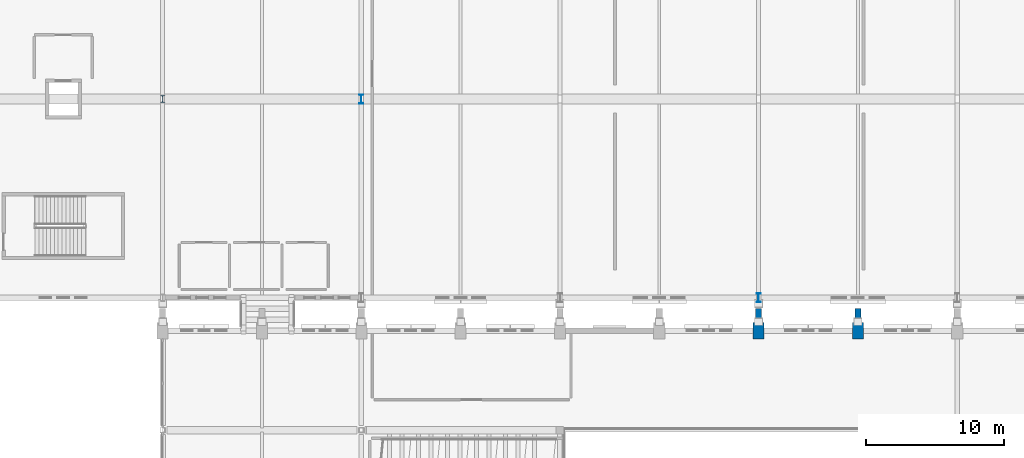
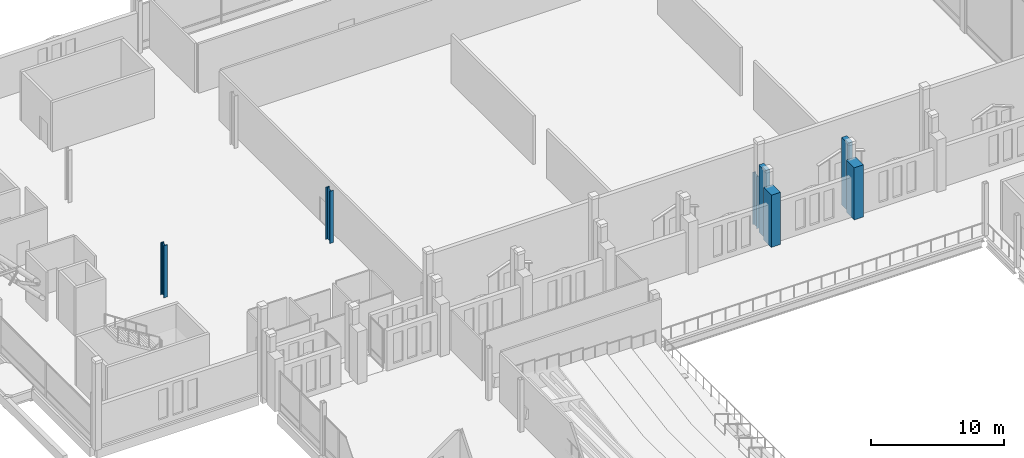
# One storey, part 16 of 193: 7 columns.
"""IFC4 building model written with IfcOpenShell, lengths in metres."""

from ifc_helpers import new_model, si_unit, direction, frame, origin, origin_2d, place, context, subcontext, project, spatial, rectangle, i_section, extrude, material, material_profile, profile_set, type_object, element, save


model = new_model("IFC4")

# Units and contexts
model_context = context("Model", 3, precision=1e-05, world=origin(), true_north=direction((0.0, 1.0)))
body_context = subcontext(model_context, "Body", "Model", "MODEL_VIEW")
ifc_project = project(units=[si_unit("LENGTHUNIT", "METRE"), si_unit("AREAUNIT", "SQUARE_METRE"), si_unit("VOLUMEUNIT", "CUBIC_METRE"), si_unit("PLANEANGLEUNIT", "RADIAN"), si_unit("MASSUNIT", "GRAM", prefix="KILO")], contexts=[model_context])

# Site, building, storey
site_placement = place(None, origin())
site = spatial("IfcSite", under=ifc_project, at=site_placement, CompositionType="ELEMENT")
building_placement = place(site_placement, origin())
building = spatial("IfcBuilding", under=site, at=building_placement, Name="Cendralis Lancet Convention Centre", CompositionType="ELEMENT")
storey_placement = place(building_placement, frame((0.0, 0.0, 10.199951171875)))
storey = spatial("IfcBuildingStorey", under=building, at=storey_placement, Name="L02", CompositionType="ELEMENT", Elevation=10.199951171875)

# Columns
ifc_material_1 = material(Name="Concrete G40 (C40/50)", Category="concrete")
ifc_material_profile_1 = material_profile(ifc_material_1, rectangle(XDim=0.800048828125, YDim=1.199951171875, at=origin_2d()), Name="RC 800x1200")
ifc_profile_set_1 = profile_set([ifc_material_profile_1], Name="Concrete G40 (C40/50)")
column_type_1 = type_object("IfcColumnType", Name="STR-COL-C15", PredefinedType="COLUMN", material=ifc_profile_set_1)
for number, where, z_axis, x_axis, name in (
    (1, (182.39990234375, 91.199951171875, 0.0), (0.0, 0.0, 1.0), (1.0, 0.0, 0.0), "L02 Column C15 at 182.4,91.2"),
    (2, (189.60009765625, 91.199951171875, 0.0), (0.0, 0.0, 1.0), (1.0, 0.0, 0.0), "L02 Column C15 at 189.6,91.2"),
):
    element("IfcColumn", number, at=place(storey_placement, frame(where, z_axis=z_axis, x_axis=x_axis)), inside=storey, type_object=column_type_1, Name=name, PredefinedType="COLUMN", context=body_context, shape_type="SweptSolid", body=[
        extrude(rectangle(XDim=0.800048828125, YDim=1.199951171875, at=origin_2d()), origin(), (0.0, 0.0, 1.0), 4.800048828125),
    ])
ifc_material_2 = material(Name="Steel S355", Category="steel")
ifc_material_profile_2 = material_profile(ifc_material_2, i_section(OverallWidth=0.300048828125, OverallDepth=0.64990234375, WebThickness=0.01611328125, FlangeThickness=0.031005859375, FilletRadius=0.027099609375, at=origin_2d()), Name="HEB 650")
ifc_profile_set_2 = profile_set([ifc_material_profile_2], Name="Steel S355")
column_type_2 = type_object("IfcColumnType", Name="STR-COL-C20", PredefinedType="COLUMN", material=ifc_profile_set_2)
column_1_placement = place(storey_placement, frame((182.39990234375, 93.60009765625, 0.0), z_axis=(0.0, 0.0, 1.0), x_axis=(1.0, 0.0, 0.0)))
element("IfcColumn", 3, at=column_1_placement, inside=storey, type_object=column_type_2, Name="L02 Column C20 at 182.4,93.6", PredefinedType="COLUMN", context=body_context, shape_type="SweptSolid", body=[
    extrude(i_section(OverallWidth=0.300048828125, OverallDepth=0.64990234375, WebThickness=0.01611328125, FlangeThickness=0.031005859375, FilletRadius=0.027099609375, at=origin_2d()), origin(), (0.0, 0.0, 1.0), 4.800048828125),
])
ifc_material_profile_3 = material_profile(ifc_material_2, i_section(OverallWidth=0.300048828125, OverallDepth=0.64990234375, WebThickness=0.01611328125, FlangeThickness=0.031005859375, FilletRadius=0.027099609375, at=origin_2d()), Name="HEB 650")
ifc_profile_set_3 = profile_set([ifc_material_profile_3], Name="Steel S355")
column_type_3 = type_object("IfcColumnType", Name="STR-COL-C20-INT", PredefinedType="COLUMN", material=ifc_profile_set_3)
column_2_placement = place(storey_placement, frame((153.60009765625, 108.0, 0.0), z_axis=(0.0, 0.0, 1.0), x_axis=(1.0, 0.0, 0.0)))
element("IfcColumn", 4, at=column_2_placement, inside=storey, type_object=column_type_3, Name="L02 Column C20 at 153.6,108.0", PredefinedType="COLUMN", context=body_context, shape_type="SweptSolid", body=[
    extrude(i_section(OverallWidth=0.300048828125, OverallDepth=0.64990234375, WebThickness=0.01611328125, FlangeThickness=0.031005859375, FilletRadius=0.027099609375, at=origin_2d()), origin(), (0.0, 0.0, 1.0), 4.800048828125),
])
ifc_material_profile_4 = material_profile(ifc_material_2, i_section(OverallWidth=0.300048828125, OverallDepth=0.5, WebThickness=0.014404296875, FlangeThickness=0.028076171875, FilletRadius=0.027099609375, at=origin_2d()), Name="HEB 500")
ifc_profile_set_4 = profile_set([ifc_material_profile_4], Name="Steel S355")
column_type_4 = type_object("IfcColumnType", Name="STR-COL-C23-INT", PredefinedType="COLUMN", material=ifc_profile_set_4)
column_3_placement = place(storey_placement, frame((139.199951171875, 108.0, 0.0), z_axis=(0.0, 0.0, 1.0), x_axis=(1.0, 0.0, 0.0)))
element("IfcColumn", 5, at=column_3_placement, inside=storey, type_object=column_type_4, Name="L02 Column C23 at 139.2,108.0", PredefinedType="COLUMN", context=body_context, shape_type="SweptSolid", body=[
    extrude(i_section(OverallWidth=0.300048828125, OverallDepth=0.5, WebThickness=0.014404296875, FlangeThickness=0.028076171875, FilletRadius=0.027099609375, at=origin_2d()), origin(), (0.0, 0.0, 1.0), 4.800048828125),
])
ifc_material_profile_5 = material_profile(ifc_material_1, rectangle(XDim=0.449951171875, YDim=0.89990234375, at=origin_2d()), Name="RC 450x900")
ifc_profile_set_5 = profile_set([ifc_material_profile_5], Name="Concrete G40 (C40/50)")
column_type_5 = type_object("IfcColumnType", Name="STR-PIL-PL02", PredefinedType="PILASTER", material=ifc_profile_set_5)
for number, where, z_axis, x_axis, name in (
    (6, (182.39990234375, 92.360107421875, 0.0), (0.0, 0.0, 1.0), (1.0, 0.0, 0.0), "L02 Column PL02 at 182.4,92.4"),
    (7, (189.60009765625, 92.360107421875, 0.0), (0.0, 0.0, 1.0), (1.0, 0.0, 0.0), "L02 Column PL02 at 189.6,92.4"),
):
    element("IfcColumn", number, at=place(storey_placement, frame(where, z_axis=z_axis, x_axis=x_axis)), inside=storey, type_object=column_type_5, Name=name, PredefinedType="PILASTER", context=body_context, shape_type="SweptSolid", body=[
        extrude(rectangle(XDim=0.449951171875, YDim=0.89990234375, at=origin_2d()), origin(), (0.0, 0.0, 1.0), 6.199951171875),
    ])

save(model, "model.ifc")
